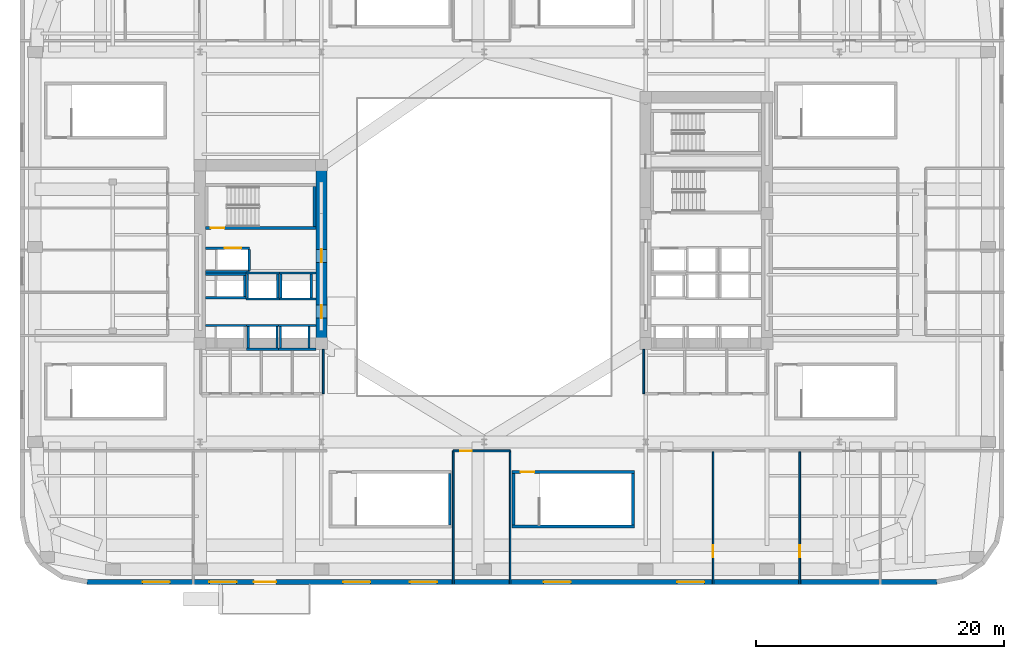
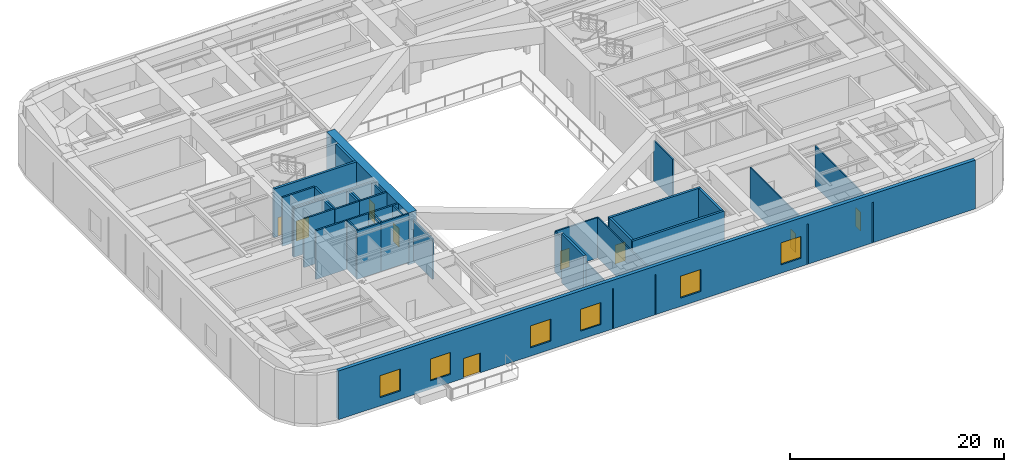
# One storey, part 7 of 16: 39 walls, 9 doors, 6 windows, 15 openings.
"""IFC4 building model written with IfcOpenShell, lengths in metres."""

from ifc_helpers import new_model, si_unit, direction, frame, frame_2d, origin, place, context, subcontext, project, spatial, rectangle, extrude, material, layer, layer_set, type_object, element, fill, save


model = new_model("IFC4")

# Units and contexts
model_context = context("Model", 3, precision=1e-05, world=origin(), true_north=direction((0.0, 1.0)))
body_context = subcontext(model_context, "Body", "Model", "MODEL_VIEW")
ifc_project = project(units=[si_unit("LENGTHUNIT", "METRE"), si_unit("AREAUNIT", "SQUARE_METRE"), si_unit("VOLUMEUNIT", "CUBIC_METRE"), si_unit("PLANEANGLEUNIT", "RADIAN"), si_unit("MASSUNIT", "GRAM", prefix="KILO")], contexts=[model_context])

# Site, building, storey
site_placement = place(None, origin())
site = spatial("IfcSite", under=ifc_project, at=site_placement, CompositionType="ELEMENT")
building_placement = place(site_placement, origin())
building = spatial("IfcBuilding", under=site, at=building_placement, Name="Kolvaren Arena Tower", CompositionType="ELEMENT")
storey_placement = place(building_placement, frame((0.0, 0.0, 28.0)))
storey = spatial("IfcBuildingStorey", under=building, at=storey_placement, Name="L05", CompositionType="ELEMENT", Elevation=28.0)

# Wall, opening, door
ifc_material_1 = material(Name="Gypsum board acoustic assembly", Category="gypsum")
ifc_layer_1 = layer(ifc_material_1, 0.159912109375)
ifc_layer_set_1 = layer_set([ifc_layer_1], Name="Gypsum board acoustic assembly")
wall_type_1 = type_object("IfcWallType", Name="CORR-160", PredefinedType="PARTITIONING", material=ifc_layer_set_1)
wall_1_placement = place(storey_placement, frame((35.0, 10.780029296875, 0.0), z_axis=(0.0, 0.0, 1.0), x_axis=(1.0, 0.0, 0.0)))
wall_1 = element("IfcWall", 1, at=wall_1_placement, inside=storey, type_object=wall_type_1, Name="Interior Partition Wall (L05)", PredefinedType="PARTITIONING", context=body_context, shape_type="SweptSolid", body=[
    extrude(rectangle(XDim=4.60009765625, YDim=0.159912109375, at=frame_2d((2.300048828125, 0.0))), origin(), (0.0, 0.0, 1.0), 4.610107421875),
])
opening_1_placement = place(wall_1_placement, frame((0.550048828125, 0.0, 0.0)))
opening_1 = element("IfcOpeningElement", 2, at=opening_1_placement, cuts=wall_1, Name="Opening D05", PredefinedType="OPENING", context=body_context, shape_type="SweptSolid", body=[
    extrude(rectangle(XDim=0.949951171875, YDim=2.14990234375, at=frame_2d((0.47509765625, 1.074951171875))), frame((0.0, 0.08984375, 0.0), z_axis=(0.0, -1.0, 0.0), x_axis=(1.0, 0.0, 0.0)), (0.0, 0.0, 1.0), 0.179931640625),
])
ifc_material_2 = material(Name="Solid-core oak acoustic office door", Category="wood")
door_type_1 = type_object("IfcDoorType", Name="DOOR-OF-095", OperationType="NOTDEFINED", PredefinedType="DOOR", material=ifc_material_2)
door_1_placement = place(opening_1_placement, origin())
door_1 = element("IfcDoor", 3, at=door_1_placement, inside=storey, type_object=door_type_1, Name="South Concourse Lounge Door (L05)", OperationType="SINGLE_SWING_LEFT", OverallHeight=2.14990234375, OverallWidth=0.949951171875, PredefinedType="DOOR", context=body_context, shape_type="SweptSolid", body=[
    extrude(rectangle(XDim=0.949951171875, YDim=2.14990234375, at=frame_2d((0.47509765625, 1.074951171875))), frame((0.0, 0.02490234375, 0.0), z_axis=(0.0, -1.0, 0.0), x_axis=(1.0, 0.0, 0.0)), (0.0, 0.0, 1.0), 0.050048828125),
])
fill(opening_1, door_1)

# Wall, openings, doors
ifc_material_3 = material(Name="Concrete 80 MPa", Category="concrete")
ifc_layer_2 = layer(ifc_material_3, 0.89990234375)
ifc_layer_set_2 = layer_set([ifc_layer_2], Name="Concrete 80 MPa")
wall_type_2 = type_object("IfcWallType", Name="CWALL-900", PredefinedType="SHEAR", material=ifc_layer_set_2)
wall_2_placement = place(storey_placement, frame((24.35009765625, 19.0, -0.35009765625), z_axis=(0.0, 0.0, 1.0), x_axis=(0.0, 1.0, 0.0)))
wall_2 = element("IfcWall", 4, at=wall_2_placement, inside=storey, type_object=wall_type_2, Name="Core Shear Wall WC-EAST (L05)", PredefinedType="SHEAR", context=body_context, shape_type="SweptSolid", body=[
    extrude(rectangle(XDim=15.300048828125, YDim=0.89990234375, at=frame_2d((7.64990234375, 0.0))), origin(), (0.0, 0.0, 1.0), 5.900146484375),
])
opening_2_placement = place(wall_2_placement, frame((2.5, 0.0, 0.35009765625)))
opening_2 = element("IfcOpeningElement", 5, at=opening_2_placement, cuts=wall_2, Name="Opening D04", PredefinedType="OPENING", context=body_context, shape_type="SweptSolid", body=[
    extrude(rectangle(XDim=1.050048828125, YDim=2.14990234375, at=frame_2d((0.52490234375, 1.074951171875))), frame((0.0, 0.4599609375, 0.0), z_axis=(0.0, -1.0, 0.0), x_axis=(1.0, 0.0, 0.0)), (0.0, 0.0, 1.0), 0.919921875),
])
opening_3_placement = place(wall_2_placement, frame((7.0, 0.0, 0.35009765625)))
opening_3 = element("IfcOpeningElement", 6, at=opening_3_placement, cuts=wall_2, Name="Opening D04", PredefinedType="OPENING", context=body_context, shape_type="SweptSolid", body=[
    extrude(rectangle(XDim=1.050048828125, YDim=2.14990234375, at=frame_2d((0.52490234375, 1.074951171875))), frame((0.0, 0.4599609375, 0.0), z_axis=(0.0, -1.0, 0.0), x_axis=(1.0, 0.0, 0.0)), (0.0, 0.0, 1.0), 0.919921875),
])
ifc_material_4 = material(Name="Fire-rated steel lobby door", Category="steel")
door_type_2 = type_object("IfcDoorType", Name="DOOR-FF-105", OperationType="NOTDEFINED", PredefinedType="DOOR", material=ifc_material_4)
door_2_placement = place(opening_2_placement, origin())
door_2 = element("IfcDoor", 7, at=door_2_placement, inside=storey, type_object=door_type_2, Name="West Lift Lobby Fire Door (L05)", OperationType="SINGLE_SWING_LEFT", OverallHeight=2.14990234375, OverallWidth=1.050048828125, PredefinedType="DOOR", context=body_context, shape_type="SweptSolid", body=[
    extrude(rectangle(XDim=1.050048828125, YDim=2.14990234375, at=frame_2d((0.52490234375, 1.074951171875))), frame((0.0, 0.02490234375, 0.0), z_axis=(0.0, -1.0, 0.0), x_axis=(1.0, 0.0, 0.0)), (0.0, 0.0, 1.0), 0.050048828125),
])
fill(opening_2, door_2)
door_3_placement = place(opening_3_placement, origin())
door_3 = element("IfcDoor", 8, at=door_3_placement, inside=storey, type_object=door_type_2, Name="West Firefighter Vestibule Door (L05)", OperationType="SINGLE_SWING_RIGHT", OverallHeight=2.14990234375, OverallWidth=1.050048828125, PredefinedType="DOOR", context=body_context, shape_type="SweptSolid", body=[
    extrude(rectangle(XDim=1.050048828125, YDim=2.14990234375, at=frame_2d((0.52490234375, 1.074951171875))), frame((0.0, 0.02490234375, 0.0), z_axis=(0.0, -1.0, 0.0), x_axis=(1.0, 0.0, 0.0)), (0.0, 0.0, 1.0), 0.050048828125),
])
fill(opening_3, door_3)

# Wall, openings, door, windows
ifc_material_5 = material(Name="Precast concrete C50/60", Category="concrete")
ifc_layer_3 = layer(ifc_material_5, 0.3798828125)
ifc_layer_set_3 = layer_set([ifc_layer_3], Name="Precast concrete C50/60")
wall_type_3 = type_object("IfcWallType", Name="EXT-ARENA", PredefinedType="SOLIDWALL", material=ifc_layer_set_3)
wall_3_placement = place(storey_placement, frame((74.10009765625, 0.18994140625, 0.0), z_axis=(0.0, 0.0, 1.0), x_axis=(-1.0, 0.0, 0.0)))
wall_3 = element("IfcWall", 9, at=wall_3_placement, inside=storey, type_object=wall_type_3, Name="Exterior Precast Masonry-Frame Wall (L05)", PredefinedType="SOLIDWALL", context=body_context, shape_type="SweptSolid", body=[
    extrude(rectangle(XDim=68.7001953125, YDim=0.3798828125, at=frame_2d((34.35009765625, 0.0))), origin(), (0.0, 0.0, 1.0), 5.550048828125),
])
opening_4_placement = place(wall_3_placement, frame((53.39990234375, 0.0, 0.0)))
opening_4 = element("IfcOpeningElement", 10, at=opening_4_placement, cuts=wall_3, Name="Opening D10", PredefinedType="OPENING", context=body_context, shape_type="SweptSolid", body=[
    extrude(rectangle(XDim=1.800048828125, YDim=2.25, at=frame_2d((0.89990234375, 1.125))), frame((0.0, 0.199951171875, 0.0), z_axis=(0.0, -1.0, 0.0), x_axis=(1.0, 0.0, 0.0)), (0.0, 0.0, 1.0), 0.39990234375),
])
opening_5_placement = place(wall_3_placement, frame((18.800048828125, 0.0, 0.949951171875)))
opening_5 = element("IfcOpeningElement", 11, at=opening_5_placement, cuts=wall_3, Name="Opening W07", PredefinedType="OPENING", context=body_context, shape_type="SweptSolid", body=[
    extrude(rectangle(XDim=2.199951171875, YDim=2.5, at=frame_2d((1.10009765625, 1.25))), frame((0.0, 0.199951171875, 0.0), z_axis=(0.0, -1.0, 0.0), x_axis=(1.0, 0.0, 0.0)), (0.0, 0.0, 1.0), 0.39990234375),
])
opening_6_placement = place(wall_3_placement, frame((29.60009765625, 0.0, 0.949951171875)))
opening_6 = element("IfcOpeningElement", 12, at=opening_6_placement, cuts=wall_3, Name="Opening W07", PredefinedType="OPENING", context=body_context, shape_type="SweptSolid", body=[
    extrude(rectangle(XDim=2.199951171875, YDim=2.5, at=frame_2d((1.10009765625, 1.25))), frame((0.0, 0.199951171875, 0.0), z_axis=(0.0, -1.0, 0.0), x_axis=(1.0, 0.0, 0.0)), (0.0, 0.0, 1.0), 0.39990234375),
])
opening_7_placement = place(wall_3_placement, frame((40.39990234375, 0.0, 0.949951171875)))
opening_7 = element("IfcOpeningElement", 13, at=opening_7_placement, cuts=wall_3, Name="Opening W07", PredefinedType="OPENING", context=body_context, shape_type="SweptSolid", body=[
    extrude(rectangle(XDim=2.199951171875, YDim=2.5, at=frame_2d((1.10009765625, 1.25))), frame((0.0, 0.199951171875, 0.0), z_axis=(0.0, -1.0, 0.0), x_axis=(1.0, 0.0, 0.0)), (0.0, 0.0, 1.0), 0.39990234375),
])
opening_8_placement = place(wall_3_placement, frame((45.800048828125, 0.0, 0.949951171875)))
opening_8 = element("IfcOpeningElement", 14, at=opening_8_placement, cuts=wall_3, Name="Opening W07", PredefinedType="OPENING", context=body_context, shape_type="SweptSolid", body=[
    extrude(rectangle(XDim=2.199951171875, YDim=2.5, at=frame_2d((1.10009765625, 1.25))), frame((0.0, 0.199951171875, 0.0), z_axis=(0.0, -1.0, 0.0), x_axis=(1.0, 0.0, 0.0)), (0.0, 0.0, 1.0), 0.39990234375),
])
opening_9_placement = place(wall_3_placement, frame((56.60009765625, 0.0, 0.949951171875)))
opening_9 = element("IfcOpeningElement", 15, at=opening_9_placement, cuts=wall_3, Name="Opening W07", PredefinedType="OPENING", context=body_context, shape_type="SweptSolid", body=[
    extrude(rectangle(XDim=2.199951171875, YDim=2.5, at=frame_2d((1.10009765625, 1.25))), frame((0.0, 0.199951171875, 0.0), z_axis=(0.0, -1.0, 0.0), x_axis=(1.0, 0.0, 0.0)), (0.0, 0.0, 1.0), 0.39990234375),
])
opening_10_placement = place(wall_3_placement, frame((62.0, 0.0, 0.949951171875)))
opening_10 = element("IfcOpeningElement", 16, at=opening_10_placement, cuts=wall_3, Name="Opening W07", PredefinedType="OPENING", context=body_context, shape_type="SweptSolid", body=[
    extrude(rectangle(XDim=2.199951171875, YDim=2.5, at=frame_2d((1.10009765625, 1.25))), frame((0.0, 0.199951171875, 0.0), z_axis=(0.0, -1.0, 0.0), x_axis=(1.0, 0.0, 0.0)), (0.0, 0.0, 1.0), 0.39990234375),
])
ifc_material_6 = material(Name="Thermally broken glazed terrace door", Category="aluminium")
door_type_3 = type_object("IfcDoorType", Name="DOOR-TR-180", OperationType="DOUBLE_DOOR_SINGLE_SWING", PredefinedType="DOOR", material=ifc_material_6)
door_4_placement = place(opening_4_placement, origin())
door_4 = element("IfcDoor", 17, at=door_4_placement, inside=storey, type_object=door_type_3, Name="Setback Roof Terrace Access Door (L05)", OperationType="DOUBLE_DOOR_SINGLE_SWING", OverallHeight=2.25, OverallWidth=1.800048828125, PredefinedType="DOOR", context=body_context, shape_type="SweptSolid", body=[
    extrude(rectangle(XDim=1.800048828125, YDim=2.25, at=frame_2d((0.89990234375, 1.125))), frame((0.0, 0.02490234375, 0.0), z_axis=(0.0, -1.0, 0.0), x_axis=(1.0, 0.0, 0.0)), (0.0, 0.0, 1.0), 0.050048828125),
])
fill(opening_4, door_4)
ifc_material_7 = material(Name="Triple-glazed arena concourse window", Category="glass")
window_type = type_object("IfcWindowType", Name="WIN-POD-A", PartitioningType="DOUBLE_PANEL_VERTICAL", PredefinedType="WINDOW", material=ifc_material_7)
window_1_placement = place(opening_5_placement, origin())
window_1 = element("IfcWindow", 18, at=window_1_placement, inside=storey, type_object=window_type, Name="Punched Precast-Pier Window (L05)", OverallHeight=2.5, OverallWidth=2.199951171875, PartitioningType="DOUBLE_PANEL_VERTICAL", PredefinedType="WINDOW", context=body_context, shape_type="SweptSolid", body=[
    extrude(rectangle(XDim=2.199951171875, YDim=2.5, at=frame_2d((1.10009765625, 1.25))), frame((0.0, 0.030029296875, 0.0), z_axis=(0.0, -1.0, 0.0), x_axis=(1.0, 0.0, 0.0)), (0.0, 0.0, 1.0), 0.06005859375),
])
fill(opening_5, window_1)
window_2_placement = place(opening_6_placement, origin())
window_2 = element("IfcWindow", 19, at=window_2_placement, inside=storey, type_object=window_type, Name="Punched Precast-Pier Window (L05)", OverallHeight=2.5, OverallWidth=2.199951171875, PartitioningType="DOUBLE_PANEL_VERTICAL", PredefinedType="WINDOW", context=body_context, shape_type="SweptSolid", body=[
    extrude(rectangle(XDim=2.199951171875, YDim=2.5, at=frame_2d((1.10009765625, 1.25))), frame((0.0, 0.030029296875, 0.0), z_axis=(0.0, -1.0, 0.0), x_axis=(1.0, 0.0, 0.0)), (0.0, 0.0, 1.0), 0.06005859375),
])
fill(opening_6, window_2)
window_3_placement = place(opening_7_placement, origin())
window_3 = element("IfcWindow", 20, at=window_3_placement, inside=storey, type_object=window_type, Name="Punched Precast-Pier Window (L05)", OverallHeight=2.5, OverallWidth=2.199951171875, PartitioningType="DOUBLE_PANEL_VERTICAL", PredefinedType="WINDOW", context=body_context, shape_type="SweptSolid", body=[
    extrude(rectangle(XDim=2.199951171875, YDim=2.5, at=frame_2d((1.10009765625, 1.25))), frame((0.0, 0.030029296875, 0.0), z_axis=(0.0, -1.0, 0.0), x_axis=(1.0, 0.0, 0.0)), (0.0, 0.0, 1.0), 0.06005859375),
])
fill(opening_7, window_3)
window_4_placement = place(opening_8_placement, origin())
window_4 = element("IfcWindow", 21, at=window_4_placement, inside=storey, type_object=window_type, Name="Punched Precast-Pier Window (L05)", OverallHeight=2.5, OverallWidth=2.199951171875, PartitioningType="DOUBLE_PANEL_VERTICAL", PredefinedType="WINDOW", context=body_context, shape_type="SweptSolid", body=[
    extrude(rectangle(XDim=2.199951171875, YDim=2.5, at=frame_2d((1.10009765625, 1.25))), frame((0.0, 0.030029296875, 0.0), z_axis=(0.0, -1.0, 0.0), x_axis=(1.0, 0.0, 0.0)), (0.0, 0.0, 1.0), 0.06005859375),
])
fill(opening_8, window_4)
window_5_placement = place(opening_9_placement, origin())
window_5 = element("IfcWindow", 22, at=window_5_placement, inside=storey, type_object=window_type, Name="Punched Precast-Pier Window (L05)", OverallHeight=2.5, OverallWidth=2.199951171875, PartitioningType="DOUBLE_PANEL_VERTICAL", PredefinedType="WINDOW", context=body_context, shape_type="SweptSolid", body=[
    extrude(rectangle(XDim=2.199951171875, YDim=2.5, at=frame_2d((1.10009765625, 1.25))), frame((0.0, 0.030029296875, 0.0), z_axis=(0.0, -1.0, 0.0), x_axis=(1.0, 0.0, 0.0)), (0.0, 0.0, 1.0), 0.06005859375),
])
fill(opening_9, window_5)
window_6_placement = place(opening_10_placement, origin())
window_6 = element("IfcWindow", 23, at=window_6_placement, inside=storey, type_object=window_type, Name="Punched Precast-Pier Window (L05)", OverallHeight=2.5, OverallWidth=2.199951171875, PartitioningType="DOUBLE_PANEL_VERTICAL", PredefinedType="WINDOW", context=body_context, shape_type="SweptSolid", body=[
    extrude(rectangle(XDim=2.199951171875, YDim=2.5, at=frame_2d((1.10009765625, 1.25))), frame((0.0, 0.030029296875, 0.0), z_axis=(0.0, -1.0, 0.0), x_axis=(1.0, 0.0, 0.0)), (0.0, 0.0, 1.0), 0.06005859375),
])
fill(opening_10, window_6)

# Wall, opening, door
ifc_material_8 = material(Name="Gypsum board partition assembly", Category="gypsum")
ifc_layer_4 = layer(ifc_material_8, 0.135009765625)
ifc_layer_set_4 = layer_set([ifc_layer_4], Name="Gypsum board partition assembly")
wall_type_4 = type_object("IfcWallType", Name="PART-135", PredefinedType="PARTITIONING", material=ifc_layer_set_4)
wall_4_placement = place(storey_placement, frame((56.0, 0.0, 0.0), z_axis=(0.0, 0.0, 1.0), x_axis=(0.0, 1.0, 0.0)))
wall_4 = element("IfcWall", 24, at=wall_4_placement, inside=storey, type_object=wall_type_4, Name="Interior Partition Wall (L05)", PredefinedType="PARTITIONING", context=body_context, shape_type="SweptSolid", body=[
    extrude(rectangle(XDim=10.68994140625, YDim=0.135009765625, at=frame_2d((5.344970703125, 0.0))), origin(), (0.0, 0.0, 1.0), 4.610107421875),
])
opening_11_placement = place(wall_4_placement, frame((2.199951171875, 0.0, 0.0)))
opening_11 = element("IfcOpeningElement", 25, at=opening_11_placement, cuts=wall_4, Name="Opening D05", PredefinedType="OPENING", context=body_context, shape_type="SweptSolid", body=[
    extrude(rectangle(XDim=0.949951171875, YDim=2.14990234375, at=frame_2d((0.47509765625, 1.074951171875))), frame((0.0, 0.077392578125, 0.0), z_axis=(0.0, -1.0, 0.0), x_axis=(1.0, 0.0, 0.0)), (0.0, 0.0, 1.0), 0.155029296875),
])
door_5_placement = place(opening_11_placement, origin())
door_5 = element("IfcDoor", 26, at=door_5_placement, inside=storey, type_object=door_type_1, Name="South-East Dining Hall Connecting Door (L05)", OperationType="SINGLE_SWING_LEFT", OverallHeight=2.14990234375, OverallWidth=0.949951171875, PredefinedType="DOOR", context=body_context, shape_type="SweptSolid", body=[
    extrude(rectangle(XDim=0.949951171875, YDim=2.14990234375, at=frame_2d((0.47509765625, 1.074951171875))), frame((0.0, 0.02490234375, 0.0), z_axis=(0.0, -1.0, 0.0), x_axis=(1.0, 0.0, 0.0)), (0.0, 0.0, 1.0), 0.050048828125),
])
fill(opening_11, door_5)

wall_5_placement = place(storey_placement, frame((63.0, 0.0, 0.0), z_axis=(0.0, 0.0, 1.0), x_axis=(0.0, 1.0, 0.0)))
wall_5 = element("IfcWall", 27, at=wall_5_placement, inside=storey, type_object=wall_type_4, Name="Interior Partition Wall (L05)", PredefinedType="PARTITIONING", context=body_context, shape_type="SweptSolid", body=[
    extrude(rectangle(XDim=10.68994140625, YDim=0.135009765625, at=frame_2d((5.344970703125, 0.0))), origin(), (0.0, 0.0, 1.0), 4.610107421875),
])
opening_12_placement = place(wall_5_placement, frame((2.199951171875, 0.0, 0.0)))
opening_12 = element("IfcOpeningElement", 28, at=opening_12_placement, cuts=wall_5, Name="Opening D05", PredefinedType="OPENING", context=body_context, shape_type="SweptSolid", body=[
    extrude(rectangle(XDim=0.949951171875, YDim=2.14990234375, at=frame_2d((0.47509765625, 1.074951171875))), frame((0.0, 0.077392578125, 0.0), z_axis=(0.0, -1.0, 0.0), x_axis=(1.0, 0.0, 0.0)), (0.0, 0.0, 1.0), 0.155029296875),
])
door_6_placement = place(opening_12_placement, origin())
door_6 = element("IfcDoor", 29, at=door_6_placement, inside=storey, type_object=door_type_1, Name="Beverage Commissary Connecting Door (L05)", OperationType="SINGLE_SWING_LEFT", OverallHeight=2.14990234375, OverallWidth=0.949951171875, PredefinedType="DOOR", context=body_context, shape_type="SweptSolid", body=[
    extrude(rectangle(XDim=0.949951171875, YDim=2.14990234375, at=frame_2d((0.47509765625, 1.074951171875))), frame((0.0, 0.02490234375, 0.0), z_axis=(0.0, -1.0, 0.0), x_axis=(1.0, 0.0, 0.0)), (0.0, 0.0, 1.0), 0.050048828125),
])
fill(opening_12, door_6)

# Walls
for number, where, z_axis, x_axis, name in (
    (30, (35.0, 0.0, 0.0), (0.0, 0.0, 1.0), (0.0, 1.0, 0.0), "Interior Partition Wall (L05)"),
    (31, (39.60009765625, 0.0, 0.0), (0.0, 0.0, 1.0), (0.0, 1.0, 0.0), "Interior Partition Wall (L05)"),
):
    element("IfcWall", number, at=place(storey_placement, frame(where, z_axis=z_axis, x_axis=x_axis)), inside=storey, type_object=wall_type_4, Name=name, PredefinedType="PARTITIONING", context=body_context, shape_type="SweptSolid", body=[
        extrude(rectangle(XDim=10.780029296875, YDim=0.135009765625, at=frame_2d((5.39013671875, 0.0))), origin(), (0.0, 0.0, 1.0), 4.610107421875),
    ])
ifc_material_9 = material(Name="Concrete 45 MPa", Category="concrete")
ifc_layer_5 = layer(ifc_material_9, 0.25)
ifc_layer_set_5 = layer_set([ifc_layer_5], Name="Concrete 45 MPa")
wall_type_5 = type_object("IfcWallType", Name="SHAFT-250", PredefinedType="SOLIDWALL", material=ifc_layer_set_5)
wall_6_placement = place(storey_placement, frame((34.719970703125, 4.800048828125, 0.0), z_axis=(0.0, 0.0, 1.0), x_axis=(0.0, 1.0, 0.0)))
element("IfcWall", 32, at=wall_6_placement, inside=storey, type_object=wall_type_5, Name="Stair ST-A2 East Shaft Wall (L05)", PredefinedType="SOLIDWALL", context=body_context, shape_type="SweptSolid", body=[
    extrude(rectangle(XDim=4.14990234375, YDim=0.239990234375, at=frame_2d((2.074951171875, 0.0))), origin(), (0.0, 0.0, 1.0), 5.550048828125),
])

# Wall, opening, door
wall_7_placement = place(storey_placement, frame((39.760009765625, 9.070068359375, 0.0), z_axis=(0.0, 0.0, 1.0), x_axis=(1.0, 0.0, 0.0)))
wall_7 = element("IfcWall", 33, at=wall_7_placement, inside=storey, type_object=wall_type_5, Name="Stair ST-A3 Rated Enclosure Wall (L05)", PredefinedType="SOLIDWALL", context=body_context, shape_type="SweptSolid", body=[
    extrude(rectangle(XDim=9.8798828125, YDim=0.239990234375, at=frame_2d((4.93994140625, 0.0))), origin(), (0.0, 0.0, 1.0), 5.550048828125),
])
opening_13_placement = place(wall_7_placement, frame((0.68994140625, 0.0, 0.0)))
opening_13 = element("IfcOpeningElement", 34, at=opening_13_placement, cuts=wall_7, Name="Opening D03", PredefinedType="OPENING", context=body_context, shape_type="SweptSolid", body=[
    extrude(rectangle(XDim=1.10009765625, YDim=2.14990234375, at=frame_2d((0.550048828125, 1.074951171875))), frame((0.0, 0.1298828125, 0.0), z_axis=(0.0, -1.0, 0.0), x_axis=(1.0, 0.0, 0.0)), (0.0, 0.0, 1.0), 0.260009765625),
])
ifc_material_10 = material(Name="Fire-rated steel exit stair door", Category="steel")
door_type_4 = type_object("IfcDoorType", Name="DOOR-ST-110", OperationType="NOTDEFINED", PredefinedType="DOOR", material=ifc_material_10)
door_7_placement = place(opening_13_placement, origin())
door_7 = element("IfcDoor", 35, at=door_7_placement, inside=storey, type_object=door_type_4, Name="Exit Stair ST-A3 Fire Door (L05)", OperationType="SINGLE_SWING_RIGHT", OverallHeight=2.14990234375, OverallWidth=1.10009765625, PredefinedType="DOOR", context=body_context, shape_type="SweptSolid", body=[
    extrude(rectangle(XDim=1.10009765625, YDim=2.14990234375, at=frame_2d((0.550048828125, 1.074951171875))), frame((0.0, 0.02490234375, 0.0), z_axis=(0.0, -1.0, 0.0), x_axis=(1.0, 0.0, 0.0)), (0.0, 0.0, 1.0), 0.050048828125),
])
fill(opening_13, door_7)

# Walls
wall_8_placement = place(storey_placement, frame((39.760009765625, 4.679931640625, 0.0), z_axis=(0.0, 0.0, 1.0), x_axis=(1.0, 0.0, 0.0)))
element("IfcWall", 36, at=wall_8_placement, inside=storey, type_object=wall_type_5, Name="Stair ST-A3 Rear Shaft Wall (L05)", PredefinedType="SOLIDWALL", context=body_context, shape_type="SweptSolid", body=[
    extrude(rectangle(XDim=9.8798828125, YDim=0.239990234375, at=frame_2d((4.93994140625, 0.0))), origin(), (0.0, 0.0, 1.0), 5.550048828125),
])
for number, where, z_axis, x_axis, name in (
    (37, (39.8798828125, 4.800048828125, 0.0), (0.0, 0.0, 1.0), (0.0, 1.0, 0.0), "Stair ST-A3 West Shaft Wall (L05)"),
    (38, (49.52001953125, 4.800048828125, 0.0), (0.0, 0.0, 1.0), (0.0, 1.0, 0.0), "Stair ST-A3 East Shaft Wall (L05)"),
):
    element("IfcWall", number, at=place(storey_placement, frame(where, z_axis=z_axis, x_axis=x_axis)), inside=storey, type_object=wall_type_5, Name=name, PredefinedType="SOLIDWALL", context=body_context, shape_type="SweptSolid", body=[
        extrude(rectangle(XDim=4.14990234375, YDim=0.239990234375, at=frame_2d((2.074951171875, 0.0))), origin(), (0.0, 0.0, 1.0), 5.550048828125),
    ])

# Wall, opening, door
wall_9_placement = place(storey_placement, frame((23.89990234375, 28.780029296875, 0.0), z_axis=(0.0, 0.0, 1.0), x_axis=(-1.0, 0.0, 0.0)))
wall_9 = element("IfcWall", 39, at=wall_9_placement, inside=storey, type_object=wall_type_5, Name="Core Shaft Wall (L05)", PredefinedType="SOLIDWALL", context=body_context, shape_type="SweptSolid", body=[
    extrude(rectangle(XDim=8.89990234375, YDim=0.239990234375, at=frame_2d((4.449951171875, 0.0))), origin(), (0.0, 0.0, 1.0), 5.550048828125),
])
opening_14_placement = place(wall_9_placement, frame((7.3798828125, 0.0, 0.0)))
opening_14 = element("IfcOpeningElement", 40, at=opening_14_placement, cuts=wall_9, Name="Opening D03", PredefinedType="OPENING", context=body_context, shape_type="SweptSolid", body=[
    extrude(rectangle(XDim=1.10009765625, YDim=2.14990234375, at=frame_2d((0.550048828125, 1.074951171875))), frame((0.0, 0.1298828125, 0.0), z_axis=(0.0, -1.0, 0.0), x_axis=(1.0, 0.0, 0.0)), (0.0, 0.0, 1.0), 0.260009765625),
])
door_8_placement = place(opening_14_placement, origin())
door_8 = element("IfcDoor", 41, at=door_8_placement, inside=storey, type_object=door_type_4, Name="Stair ST-W1 Fire Door (L05)", OperationType="SINGLE_SWING_RIGHT", OverallHeight=2.14990234375, OverallWidth=1.10009765625, PredefinedType="DOOR", context=body_context, shape_type="SweptSolid", body=[
    extrude(rectangle(XDim=1.10009765625, YDim=2.14990234375, at=frame_2d((0.550048828125, 1.074951171875))), frame((0.0, 0.02490234375, 0.0), z_axis=(0.0, -1.0, 0.0), x_axis=(1.0, 0.0, 0.0)), (0.0, 0.0, 1.0), 0.050048828125),
])
fill(opening_14, door_8)

# Walls
wall_10_placement = place(storey_placement, frame((23.780029296875, 28.89990234375, 0.0), z_axis=(0.0, 0.0, 1.0), x_axis=(0.0, 1.0, 0.0)))
element("IfcWall", 42, at=wall_10_placement, inside=storey, type_object=wall_type_5, Name="Core Shaft Wall (L05)", PredefinedType="SOLIDWALL", context=body_context, shape_type="SweptSolid", body=[
    extrude(rectangle(XDim=3.22998046875, YDim=0.239990234375, at=frame_2d((1.614990234375, 0.0))), origin(), (0.0, 0.0, 1.0), 5.550048828125),
])
wall_11_placement = place(storey_placement, frame((15.0, 20.905029296875, 0.0), z_axis=(0.0, 0.0, 1.0), x_axis=(1.0, 0.0, 0.0)))
element("IfcWall", 43, at=wall_11_placement, inside=storey, type_object=wall_type_5, Name="Core Shaft Wall (L05)", PredefinedType="SOLIDWALL", context=body_context, shape_type="SweptSolid", body=[
    extrude(rectangle(XDim=3.300048828125, YDim=0.179931640625, at=frame_2d((1.64990234375, 0.0))), origin(), (0.0, 0.0, 1.0), 5.550048828125),
])
for number, where, z_axis, x_axis, name in (
    (44, (18.300048828125, 20.905029296875, 0.0), (0.0, 0.0, 1.0), (1.0, 0.0, 0.0), "Core Shaft Wall (L05)"),
    (45, (18.300048828125, 18.9951171875, 0.0), (0.0, 0.0, 1.0), (1.0, 0.0, 0.0), "Core Shaft Wall (L05)"),
):
    element("IfcWall", number, at=place(storey_placement, frame(where, z_axis=z_axis, x_axis=x_axis)), inside=storey, type_object=wall_type_5, Name=name, PredefinedType="SOLIDWALL", context=body_context, shape_type="SweptSolid", body=[
        extrude(rectangle(XDim=2.599853515625, YDim=0.179931640625, at=frame_2d((1.2998046875, 0.0))), origin(), (0.0, 0.0, 1.0), 5.550048828125),
    ])
for number, where, z_axis, x_axis, name in (
    (46, (18.445068359375, 19.0849609375, 0.0), (0.0, 0.0, 1.0), (0.0, 1.0, 0.0), "Core Shaft Wall (L05)"),
    (47, (20.7548828125, 19.0849609375, 0.0), (0.0, 0.0, 1.0), (0.0, 1.0, 0.0), "Core Shaft Wall (L05)"),
):
    element("IfcWall", number, at=place(storey_placement, frame(where, z_axis=z_axis, x_axis=x_axis)), inside=storey, type_object=wall_type_5, Name=name, PredefinedType="SOLIDWALL", context=body_context, shape_type="SweptSolid", body=[
        extrude(rectangle(XDim=1.72998046875, YDim=0.179931640625, at=frame_2d((0.864990234375, 0.0))), origin(), (0.0, 0.0, 1.0), 5.550048828125),
    ])
for number, where, z_axis, x_axis, name in (
    (48, (20.89990234375, 20.905029296875, 0.0), (0.0, 0.0, 1.0), (1.0, 0.0, 0.0), "Core Shaft Wall (L05)"),
    (49, (20.89990234375, 18.9951171875, 0.0), (0.0, 0.0, 1.0), (1.0, 0.0, 0.0), "Core Shaft Wall (L05)"),
):
    element("IfcWall", number, at=place(storey_placement, frame(where, z_axis=z_axis, x_axis=x_axis)), inside=storey, type_object=wall_type_5, Name=name, PredefinedType="SOLIDWALL", context=body_context, shape_type="SweptSolid", body=[
        extrude(rectangle(XDim=3.0, YDim=0.179931640625, at=frame_2d((1.5, 0.0))), origin(), (0.0, 0.0, 1.0), 5.550048828125),
    ])
for number, where, z_axis, x_axis, name in (
    (50, (21.044921875, 19.0849609375, 0.0), (0.0, 0.0, 1.0), (0.0, 1.0, 0.0), "Core Shaft Wall (L05)"),
    (51, (23.35498046875, 19.0849609375, 0.0), (0.0, 0.0, 1.0), (0.0, 1.0, 0.0), "Core Shaft Wall (L05)"),
):
    element("IfcWall", number, at=place(storey_placement, frame(where, z_axis=z_axis, x_axis=x_axis)), inside=storey, type_object=wall_type_5, Name=name, PredefinedType="SOLIDWALL", context=body_context, shape_type="SweptSolid", body=[
        extrude(rectangle(XDim=1.72998046875, YDim=0.179931640625, at=frame_2d((0.864990234375, 0.0))), origin(), (0.0, 0.0, 1.0), 5.550048828125),
    ])
for number, where, z_axis, x_axis, name in (
    (52, (15.0, 25.054931640625, 0.0), (0.0, 0.0, 1.0), (1.0, 0.0, 0.0), "Core Shaft Wall (L05)"),
    (53, (15.0, 23.14501953125, 0.0), (0.0, 0.0, 1.0), (1.0, 0.0, 0.0), "Core Shaft Wall (L05)"),
):
    element("IfcWall", number, at=place(storey_placement, frame(where, z_axis=z_axis, x_axis=x_axis)), inside=storey, type_object=wall_type_5, Name=name, PredefinedType="SOLIDWALL", context=body_context, shape_type="SweptSolid", body=[
        extrude(rectangle(XDim=3.262451171875, YDim=0.179931640625, at=frame_2d((1.63134765625, 0.0))), origin(), (0.0, 0.0, 1.0), 5.550048828125),
    ])
wall_12_placement = place(storey_placement, frame((18.155029296875, 23.235107421875, 0.0), z_axis=(0.0, 0.0, 1.0), x_axis=(0.0, 1.0, 0.0)))
element("IfcWall", 54, at=wall_12_placement, inside=storey, type_object=wall_type_5, Name="Core Shaft Wall (L05)", PredefinedType="SOLIDWALL", context=body_context, shape_type="SweptSolid", body=[
    extrude(rectangle(XDim=1.72998046875, YDim=0.179931640625, at=frame_2d((0.864990234375, 0.0))), origin(), (0.0, 0.0, 1.0), 5.550048828125),
])
for number, where, z_axis, x_axis, name in (
    (55, (18.262451171875, 25.155029296875, 0.0), (0.0, 0.0, 1.0), (1.0, 0.0, 0.0), "Core Shaft Wall (L05)"),
    (56, (18.262451171875, 23.044921875, 0.0), (0.0, 0.0, 1.0), (1.0, 0.0, 0.0), "Core Shaft Wall (L05)"),
):
    element("IfcWall", number, at=place(storey_placement, frame(where, z_axis=z_axis, x_axis=x_axis)), inside=storey, type_object=wall_type_5, Name=name, PredefinedType="SOLIDWALL", context=body_context, shape_type="SweptSolid", body=[
        extrude(rectangle(XDim=2.6875, YDim=0.179931640625, at=frame_2d((1.34375, 0.0))), origin(), (0.0, 0.0, 1.0), 5.550048828125),
    ])
for number, where, z_axis, x_axis, name in (
    (57, (18.3701171875, 23.135009765625, 0.0), (0.0, 0.0, 1.0), (0.0, 1.0, 0.0), "Core Shaft Wall (L05)"),
    (58, (20.830078125, 23.135009765625, 0.0), (0.0, 0.0, 1.0), (0.0, 1.0, 0.0), "Core Shaft Wall (L05)"),
):
    element("IfcWall", number, at=place(storey_placement, frame(where, z_axis=z_axis, x_axis=x_axis)), inside=storey, type_object=wall_type_5, Name=name, PredefinedType="SOLIDWALL", context=body_context, shape_type="SweptSolid", body=[
        extrude(rectangle(XDim=1.929931640625, YDim=0.179931640625, at=frame_2d((0.96484375, 0.0))), origin(), (0.0, 0.0, 1.0), 5.550048828125),
    ])
for number, where, z_axis, x_axis, name in (
    (59, (20.949951171875, 25.155029296875, 0.0), (0.0, 0.0, 1.0), (1.0, 0.0, 0.0), "Core Shaft Wall (L05)"),
    (60, (20.949951171875, 23.044921875, 0.0), (0.0, 0.0, 1.0), (1.0, 0.0, 0.0), "Core Shaft Wall (L05)"),
):
    element("IfcWall", number, at=place(storey_placement, frame(where, z_axis=z_axis, x_axis=x_axis)), inside=storey, type_object=wall_type_5, Name=name, PredefinedType="SOLIDWALL", context=body_context, shape_type="SweptSolid", body=[
        extrude(rectangle(XDim=2.949951171875, YDim=0.179931640625, at=frame_2d((1.47509765625, 0.0))), origin(), (0.0, 0.0, 1.0), 5.550048828125),
    ])
for number, where, z_axis, x_axis, name in (
    (61, (21.070068359375, 23.135009765625, 0.0), (0.0, 0.0, 1.0), (0.0, 1.0, 0.0), "Core Shaft Wall (L05)"),
    (62, (23.530029296875, 23.135009765625, 0.0), (0.0, 0.0, 1.0), (0.0, 1.0, 0.0), "Core Shaft Wall (L05)"),
):
    element("IfcWall", number, at=place(storey_placement, frame(where, z_axis=z_axis, x_axis=x_axis)), inside=storey, type_object=wall_type_5, Name=name, PredefinedType="SOLIDWALL", context=body_context, shape_type="SweptSolid", body=[
        extrude(rectangle(XDim=1.929931640625, YDim=0.179931640625, at=frame_2d((0.96484375, 0.0))), origin(), (0.0, 0.0, 1.0), 5.550048828125),
    ])

# Wall, opening, door
wall_13_placement = place(storey_placement, frame((15.0, 27.155029296875, 0.0), z_axis=(0.0, 0.0, 1.0), x_axis=(1.0, 0.0, 0.0)))
wall_13 = element("IfcWall", 63, at=wall_13_placement, inside=storey, type_object=wall_type_5, Name="Core Shaft Wall (L05)", PredefinedType="SOLIDWALL", context=body_context, shape_type="SweptSolid", body=[
    extrude(rectangle(XDim=3.530029296875, YDim=0.179931640625, at=frame_2d((1.76513671875, 0.0))), origin(), (0.0, 0.0, 1.0), 5.550048828125),
])
opening_15_placement = place(wall_13_placement, frame((1.52490234375, 0.0, 0.0)))
opening_15 = element("IfcOpeningElement", 64, at=opening_15_placement, cuts=wall_13, Name="Opening LD2", PredefinedType="OPENING", context=body_context, shape_type="SweptSolid", body=[
    extrude(rectangle(XDim=1.35009765625, YDim=2.300048828125, at=frame_2d((0.675048828125, 1.14990234375))), frame((0.0, 0.099853515625, 0.0), z_axis=(0.0, -1.0, 0.0), x_axis=(1.0, 0.0, 0.0)), (0.0, 0.0, 1.0), 0.199951171875),
])
ifc_material_11 = material(Name="Stainless steel firefighter lift landing door", Category="steel")
door_type_5 = type_object("IfcDoorType", Name="DOOR-LD-135", OperationType="DOUBLE_DOOR_SLIDING", PredefinedType="DOOR", material=ifc_material_11)
door_9_placement = place(opening_15_placement, origin())
door_9 = element("IfcDoor", 65, at=door_9_placement, inside=storey, type_object=door_type_5, Name="Firefighter Lift FF-W1 Landing Door (L05)", OperationType="DOUBLE_DOOR_SLIDING", OverallHeight=2.300048828125, OverallWidth=1.35009765625, PredefinedType="DOOR", context=body_context, shape_type="SweptSolid", body=[
    extrude(rectangle(XDim=1.35009765625, YDim=2.300048828125, at=frame_2d((0.675048828125, 1.14990234375))), frame((0.0, 0.02490234375, 0.0), z_axis=(0.0, -1.0, 0.0), x_axis=(1.0, 0.0, 0.0)), (0.0, 0.0, 1.0), 0.050048828125),
])
fill(opening_15, door_9)

# Walls
wall_14_placement = place(storey_placement, frame((15.0, 25.2451171875, 0.0), z_axis=(0.0, 0.0, 1.0), x_axis=(1.0, 0.0, 0.0)))
element("IfcWall", 66, at=wall_14_placement, inside=storey, type_object=wall_type_5, Name="Core Shaft Wall (L05)", PredefinedType="SOLIDWALL", context=body_context, shape_type="SweptSolid", body=[
    extrude(rectangle(XDim=3.530029296875, YDim=0.179931640625, at=frame_2d((1.76513671875, 0.0))), origin(), (0.0, 0.0, 1.0), 5.550048828125),
])
wall_15_placement = place(storey_placement, frame((18.530029296875, 25.3349609375, 0.0), z_axis=(0.0, 0.0, 1.0), x_axis=(0.0, 1.0, 0.0)))
element("IfcWall", 67, at=wall_15_placement, inside=storey, type_object=wall_type_5, Name="Core Shaft Wall (L05)", PredefinedType="SOLIDWALL", context=body_context, shape_type="SweptSolid", body=[
    extrude(rectangle(XDim=1.72998046875, YDim=0.179931640625, at=frame_2d((0.864990234375, 0.0))), origin(), (0.0, 0.0, 1.0), 5.550048828125),
])
ifc_material_12 = material(Name="Moisture-resistant gypsum assembly", Category="gypsum")
ifc_layer_6 = layer(ifc_material_12, 0.14990234375)
ifc_layer_set_6 = layer_set([ifc_layer_6], Name="Moisture-resistant gypsum assembly")
wall_type_6 = type_object("IfcWallType", Name="WETW-150", PredefinedType="PARTITIONING", material=ifc_layer_set_6)
for number, where, z_axis, x_axis, name in (
    (68, (24.5, 15.39990234375, 0.0), (0.0, 0.0, 1.0), (0.0, 1.0, 0.0), "Interior Partition Wall (L05)"),
    (69, (50.39990234375, 15.39990234375, 0.0), (0.0, 0.0, 1.0), (0.0, 1.0, 0.0), "Interior Partition Wall (L05)"),
):
    element("IfcWall", number, at=place(storey_placement, frame(where, z_axis=z_axis, x_axis=x_axis)), inside=storey, type_object=wall_type_6, Name=name, PredefinedType="PARTITIONING", context=body_context, shape_type="SweptSolid", body=[
        extrude(rectangle(XDim=3.580078125, YDim=0.14990234375, at=frame_2d((1.7900390625, 0.0))), origin(), (0.0, 0.0, 1.0), 4.610107421875),
    ])

save(model, "model.ifc")
